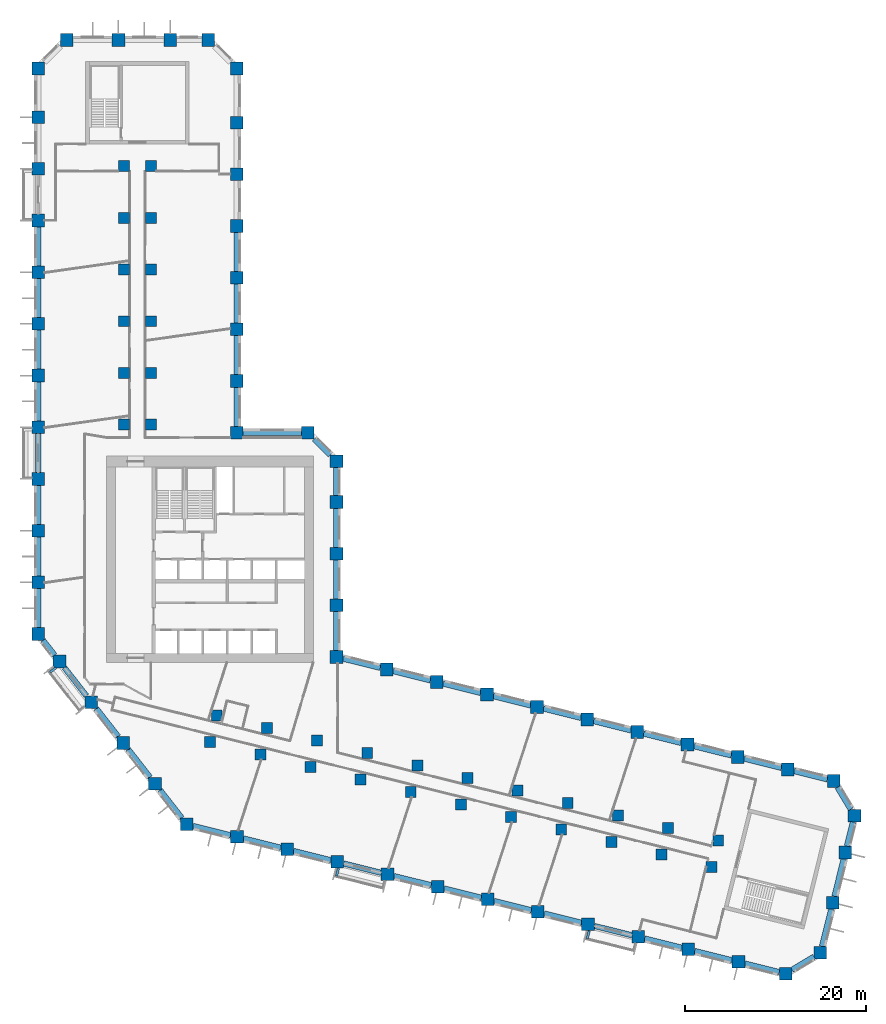
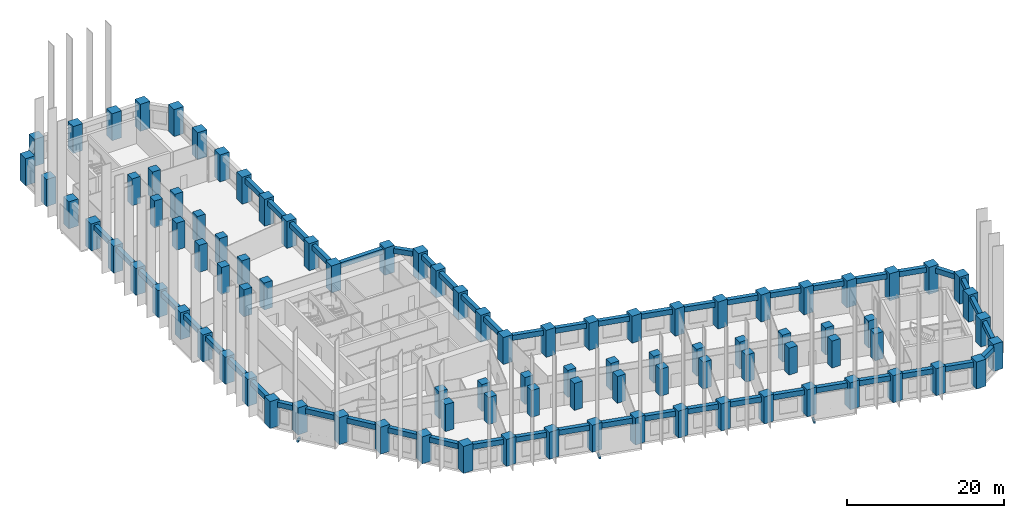
# One storey, part 1 of 12: 95 columns, 53 beams.
"""IFC4 building model written with IfcOpenShell, lengths in metres."""

from ifc_helpers import new_model, si_unit, direction, frame, origin, origin_2d, place, context, subcontext, project, spatial, rectangle, extrude, material, material_profile, profile_set, type_object, element, save


model = new_model("IFC4")

# Units and contexts
model_context = context("Model", 3, precision=1e-05, world=origin(), true_north=direction((0.0, 1.0)))
body_context = subcontext(model_context, "Body", "Model", "MODEL_VIEW")
ifc_project = project(units=[si_unit("LENGTHUNIT", "METRE"), si_unit("AREAUNIT", "SQUARE_METRE"), si_unit("VOLUMEUNIT", "CUBIC_METRE"), si_unit("PLANEANGLEUNIT", "RADIAN"), si_unit("MASSUNIT", "GRAM", prefix="KILO")], contexts=[model_context])

# Site, building, storey
site_placement = place(None, origin())
site = spatial("IfcSite", under=ifc_project, at=site_placement, CompositionType="ELEMENT")
building_placement = place(site_placement, origin())
building = spatial("IfcBuilding", under=site, at=building_placement, Name="Meshkara Civic Tower", CompositionType="ELEMENT")
storey_placement = place(building_placement, frame((0.0, 0.0, 66.60009765625)))
storey = spatial("IfcBuildingStorey", under=building, at=storey_placement, Name="L14", CompositionType="ELEMENT", Elevation=66.60009765625)

# Columns
ifc_material_1 = material(Name="Concrete C80", Category="concrete")
ifc_material_profile_1 = material_profile(ifc_material_1, rectangle(XDim=1.199951171875, YDim=1.199951171875, at=origin_2d()))
ifc_profile_set_1 = profile_set([ifc_material_profile_1], Name="Concrete C80")
column_type_1 = type_object("IfcColumnType", Name="Interior column RC 1200x1200 C80", PredefinedType="COLUMN", material=ifc_profile_set_1)
for number, where, z_axis, x_axis, name in (
    (1, (9.89990234375, 40.35009765625, 0.0), (0.0, 0.0, 1.0), (1.0, 0.0, 0.0), "Column SA1-04 L14"),
    (2, (9.89990234375, 46.050048828125, 0.0), (0.0, 0.0, 1.0), (1.0, 0.0, 0.0), "Column SA1-05 L14"),
    (3, (9.89990234375, 51.75, 0.0), (0.0, 0.0, 1.0), (1.0, 0.0, 0.0), "Column SA1-06 L14"),
    (4, (9.89990234375, 57.449951171875, 0.0), (0.0, 0.0, 1.0), (1.0, 0.0, 0.0), "Column SA1-07 L14"),
    (5, (9.89990234375, 63.14990234375, 0.0), (0.0, 0.0, 1.0), (1.0, 0.0, 0.0), "Column SA1-08 L14"),
    (6, (9.89990234375, 68.85009765625, 0.0), (0.0, 0.0, 1.0), (1.0, 0.0, 0.0), "Column SA1-09 L14"),
    (7, (12.89990234375, 40.35009765625, 0.0), (0.0, 0.0, 1.0), (1.0, 0.0, 0.0), "Column SA2-04 L14"),
    (8, (12.89990234375, 46.050048828125, 0.0), (0.0, 0.0, 1.0), (1.0, 0.0, 0.0), "Column SA2-05 L14"),
    (9, (12.89990234375, 51.75, 0.0), (0.0, 0.0, 1.0), (1.0, 0.0, 0.0), "Column SA2-06 L14"),
    (10, (12.89990234375, 57.449951171875, 0.0), (0.0, 0.0, 1.0), (1.0, 0.0, 0.0), "Column SA2-07 L14"),
    (11, (12.89990234375, 63.14990234375, 0.0), (0.0, 0.0, 1.0), (1.0, 0.0, 0.0), "Column SA2-08 L14"),
    (12, (12.89990234375, 68.85009765625, 0.0), (0.0, 0.0, 1.0), (1.0, 0.0, 0.0), "Column SA2-09 L14"),
    (13, (19.424072265625, 5.360107421875, 0.0), (0.0, 0.0, 1.0), (1.0, 0.0, 0.0), "Column SB1-00 L14"),
    (14, (24.9541015625, 3.98095703125, 0.0), (0.0, 0.0, 1.0), (1.0, 0.0, 0.0), "Column SB1-01 L14"),
    (15, (30.485107421875, 2.60205078125, 0.0), (0.0, 0.0, 1.0), (1.0, 0.0, 0.0), "Column SB1-02 L14"),
    (16, (36.01611328125, 1.222900390625, 0.0), (0.0, 0.0, 1.0), (1.0, 0.0, 0.0), "Column SB1-03 L14"),
    (17, (41.5458984375, -0.156005859375, 0.0), (0.0, 0.0, 1.0), (1.0, 0.0, 0.0), "Column SB1-04 L14"),
    (18, (47.076904296875, -1.534912109375, 0.0), (0.0, 0.0, 1.0), (1.0, 0.0, 0.0), "Column SB1-05 L14"),
    (19, (52.60791015625, -2.9140625, 0.0), (0.0, 0.0, 1.0), (1.0, 0.0, 0.0), "Column SB1-06 L14"),
    (20, (58.138916015625, -4.2919921875, 0.0), (0.0, 0.0, 1.0), (1.0, 0.0, 0.0), "Column SB1-07 L14"),
    (21, (63.6689453125, -5.6708984375, 0.0), (0.0, 0.0, 1.0), (1.0, 0.0, 0.0), "Column SB1-08 L14"),
    (22, (69.199951171875, -7.050048828125, 0.0), (0.0, 0.0, 1.0), (1.0, 0.0, 0.0), "Column SB1-09 L14"),
    (23, (74.73095703125, -8.428955078125, 0.0), (0.0, 0.0, 1.0), (1.0, 0.0, 0.0), "Column SB1-10 L14"),
    (24, (20.14892578125, 8.27099609375, 0.0), (0.0, 0.0, 1.0), (1.0, 0.0, 0.0), "Column SB2-00 L14"),
    (25, (25.679931640625, 6.89208984375, 0.0), (0.0, 0.0, 1.0), (1.0, 0.0, 0.0), "Column SB2-01 L14"),
    (26, (31.2109375, 5.512939453125, 0.0), (0.0, 0.0, 1.0), (1.0, 0.0, 0.0), "Column SB2-02 L14"),
    (27, (36.741943359375, 4.134033203125, 0.0), (0.0, 0.0, 1.0), (1.0, 0.0, 0.0), "Column SB2-03 L14"),
    (28, (42.27197265625, 2.7548828125, 0.0), (0.0, 0.0, 1.0), (1.0, 0.0, 0.0), "Column SB2-04 L14"),
    (29, (47.802978515625, 1.3759765625, 0.0), (0.0, 0.0, 1.0), (1.0, 0.0, 0.0), "Column SB2-05 L14"),
    (30, (53.333984375, -0.0029296875, 0.0), (0.0, 0.0, 1.0), (1.0, 0.0, 0.0), "Column SB2-06 L14"),
    (31, (58.864013671875, -1.382080078125, 0.0), (0.0, 0.0, 1.0), (1.0, 0.0, 0.0), "Column SB2-07 L14"),
    (32, (64.39501953125, -2.760986328125, 0.0), (0.0, 0.0, 1.0), (1.0, 0.0, 0.0), "Column SB2-08 L14"),
    (33, (69.926025390625, -4.139892578125, 0.0), (0.0, 0.0, 1.0), (1.0, 0.0, 0.0), "Column SB2-09 L14"),
    (34, (75.4560546875, -5.51806640625, 0.0), (0.0, 0.0, 1.0), (1.0, 0.0, 0.0), "Column SB2-10 L14"),
):
    element("IfcColumn", number, at=place(storey_placement, frame(where, z_axis=z_axis, x_axis=x_axis)), inside=storey, type_object=column_type_1, Name=name, PredefinedType="COLUMN", context=body_context, shape_type="SweptSolid", body=[
        extrude(rectangle(XDim=1.199951171875, YDim=1.199951171875, at=origin_2d()), origin(), (0.0, 0.0, 1.0), 4.199951171875),
    ])
ifc_material_2 = material(Name="Concrete C80", Category="concrete")
ifc_material_profile_2 = material_profile(ifc_material_2, rectangle(XDim=1.39990234375, YDim=1.39990234375, at=origin_2d()))
ifc_profile_set_2 = profile_set([ifc_material_profile_2], Name="Concrete C80")
column_type_2 = type_object("IfcColumnType", Name="Perimeter column RC 1400x1400 C80", PredefinedType="COLUMN", material=ifc_profile_set_2)
for number, where, z_axis, x_axis, name in (
    (35, (33.35009765625, 14.718994140625, 0.0), (0.0, 0.0, 1.0), (1.0, 0.0, 0.0), "Column HE00 L14"),
    (36, (33.35009765625, 20.4189453125, 0.0), (0.0, 0.0, 1.0), (1.0, 0.0, 0.0), "Column HE01 L14"),
    (37, (33.35009765625, 26.118896484375, 0.0), (0.0, 0.0, 1.0), (1.0, 0.0, 0.0), "Column HE02 L14"),
    (38, (33.35009765625, 31.819091796875, 0.0), (0.0, 0.0, 1.0), (1.0, 0.0, 0.0), "Column HE03 L14"),
    (39, (33.35009765625, 36.2939453125, 0.0), (0.0, 0.0, 1.0), (1.0, 0.0, 0.0), "Column HEE L14"),
    (40, (30.194091796875, 39.449951171875, 0.0), (0.0, 0.0, 1.0), (1.0, 0.0, 0.0), "Column HCeE L14"),
    (41, (22.35009765625, 39.449951171875, 0.0), (0.0, 0.0, 1.0), (1.0, 0.0, 0.0), "Column HN00 L14"),
    (42, (22.35009765625, 45.14990234375, 0.0), (0.0, 0.0, 1.0), (1.0, 0.0, 0.0), "Column AE01 L14"),
    (43, (22.35009765625, 50.85009765625, 0.0), (0.0, 0.0, 1.0), (1.0, 0.0, 0.0), "Column AE02 L14"),
    (44, (22.35009765625, 56.550048828125, 0.0), (0.0, 0.0, 1.0), (1.0, 0.0, 0.0), "Column AE03 L14"),
    (45, (22.35009765625, 62.25, 0.0), (0.0, 0.0, 1.0), (1.0, 0.0, 0.0), "Column AE04 L14"),
    (46, (22.35009765625, 67.949951171875, 0.0), (0.0, 0.0, 1.0), (1.0, 0.0, 0.0), "Column AE05 L14"),
    (47, (22.35009765625, 73.64990234375, 0.0), (0.0, 0.0, 1.0), (1.0, 0.0, 0.0), "Column AE06 L14"),
    (48, (22.35009765625, 79.614013671875, 0.0), (0.0, 0.0, 1.0), (1.0, 0.0, 0.0), "Column AEE L14"),
    (49, (19.194091796875, 82.77001953125, 0.0), (0.0, 0.0, 1.0), (1.0, 0.0, 0.0), "Column ATiE L14"),
    (50, (3.60595703125, 82.77001953125, 0.0), (0.0, 0.0, 1.0), (1.0, 0.0, 0.0), "Column AT00 L14"),
    (51, (9.305908203125, 82.77001953125, 0.0), (0.0, 0.0, 1.0), (1.0, 0.0, 0.0), "Column AT01 L14"),
    (52, (15.006103515625, 82.77001953125, 0.0), (0.0, 0.0, 1.0), (1.0, 0.0, 0.0), "Column AT02 L14"),
    (53, (0.449951171875, 79.614013671875, 0.0), (0.0, 0.0, 1.0), (1.0, 0.0, 0.0), "Column ATo00 L14"),
    (54, (0.449951171875, 17.2548828125, 0.0), (0.0, 0.0, 1.0), (1.0, 0.0, 0.0), "Column AW00 L14"),
    (55, (0.449951171875, 22.955078125, 0.0), (0.0, 0.0, 1.0), (1.0, 0.0, 0.0), "Column AW01 L14"),
    (56, (0.449951171875, 28.655029296875, 0.0), (0.0, 0.0, 1.0), (1.0, 0.0, 0.0), "Column AW02 L14"),
    (57, (0.449951171875, 34.35498046875, 0.0), (0.0, 0.0, 1.0), (1.0, 0.0, 0.0), "Column AW03 L14"),
    (58, (0.449951171875, 40.054931640625, 0.0), (0.0, 0.0, 1.0), (1.0, 0.0, 0.0), "Column AW04 L14"),
    (59, (0.449951171875, 45.7548828125, 0.0), (0.0, 0.0, 1.0), (1.0, 0.0, 0.0), "Column AW05 L14"),
    (60, (0.449951171875, 51.455078125, 0.0), (0.0, 0.0, 1.0), (1.0, 0.0, 0.0), "Column AW06 L14"),
    (61, (0.449951171875, 57.155029296875, 0.0), (0.0, 0.0, 1.0), (1.0, 0.0, 0.0), "Column AW07 L14"),
    (62, (0.449951171875, 62.85498046875, 0.0), (0.0, 0.0, 1.0), (1.0, 0.0, 0.0), "Column AW08 L14"),
    (63, (0.449951171875, 68.554931640625, 0.0), (0.0, 0.0, 1.0), (1.0, 0.0, 0.0), "Column AW09 L14"),
    (64, (0.449951171875, 74.2548828125, 0.0), (0.0, 0.0, 1.0), (1.0, 0.0, 0.0), "Column AW10 L14"),
    (65, (16.85107421875, -3.738037109375, 0.0), (0.0, 0.0, 1.0), (1.0, 0.0, 0.0), "Column BOW00 L14"),
    (66, (13.342041015625, 0.75390625, 0.0), (0.0, 0.0, 1.0), (1.0, 0.0, 0.0), "Column BOW01 L14"),
    (67, (9.8330078125, 5.2451171875, 0.0), (0.0, 0.0, 1.0), (1.0, 0.0, 0.0), "Column BOW02 L14"),
    (68, (6.322998046875, 9.737060546875, 0.0), (0.0, 0.0, 1.0), (1.0, 0.0, 0.0), "Column BOW03 L14"),
    (69, (2.81396484375, 14.22900390625, 0.0), (0.0, 0.0, 1.0), (1.0, 0.0, 0.0), "Column BOW04 L14"),
    (70, (22.382080078125, -5.116943359375, 0.0), (0.0, 0.0, 1.0), (1.0, 0.0, 0.0), "Column BS01 L14"),
    (71, (27.912109375, -6.49609375, 0.0), (0.0, 0.0, 1.0), (1.0, 0.0, 0.0), "Column BS02 L14"),
    (72, (33.443115234375, -7.875, 0.0), (0.0, 0.0, 1.0), (1.0, 0.0, 0.0), "Column BS03 L14"),
    (73, (38.97412109375, -9.25390625, 0.0), (0.0, 0.0, 1.0), (1.0, 0.0, 0.0), "Column BS04 L14"),
    (74, (44.5048828125, -10.632080078125, 0.0), (0.0, 0.0, 1.0), (1.0, 0.0, 0.0), "Column BS05 L14"),
    (75, (50.034912109375, -12.010986328125, 0.0), (0.0, 0.0, 1.0), (1.0, 0.0, 0.0), "Column BS06 L14"),
    (76, (55.56591796875, -13.389892578125, 0.0), (0.0, 0.0, 1.0), (1.0, 0.0, 0.0), "Column BS07 L14"),
    (77, (61.096923828125, -14.76904296875, 0.0), (0.0, 0.0, 1.0), (1.0, 0.0, 0.0), "Column BS08 L14"),
    (78, (66.626953125, -16.14794921875, 0.0), (0.0, 0.0, 1.0), (1.0, 0.0, 0.0), "Column BS09 L14"),
    (79, (72.157958984375, -17.527099609375, 0.0), (0.0, 0.0, 1.0), (1.0, 0.0, 0.0), "Column BS10 L14"),
    (80, (77.68896484375, -18.906005859375, 0.0), (0.0, 0.0, 1.0), (1.0, 0.0, 0.0), "Column BS11 L14"),
    (81, (82.887939453125, -20.201904296875, 0.0), (0.0, 0.0, 1.0), (1.0, 0.0, 0.0), "Column BSE L14"),
    (82, (86.714111328125, -17.903076171875, 0.0), (0.0, 0.0, 1.0), (1.0, 0.0, 0.0), "Column BToE L14"),
    (83, (88.093017578125, -12.3720703125, 0.0), (0.0, 0.0, 1.0), (1.0, 0.0, 0.0), "Column BT01 L14"),
    (84, (89.471923828125, -6.842041015625, 0.0), (0.0, 0.0, 1.0), (1.0, 0.0, 0.0), "Column BT02 L14"),
    (85, (90.485107421875, -2.779052734375, 0.0), (0.0, 0.0, 1.0), (1.0, 0.0, 0.0), "Column BTE L14"),
    (86, (88.18603515625, 1.0458984375, 0.0), (0.0, 0.0, 1.0), (1.0, 0.0, 0.0), "Column BTi00 L14"),
    (87, (38.881103515625, 13.340087890625, 0.0), (0.0, 0.0, 1.0), (1.0, 0.0, 0.0), "Column BN01 L14"),
    (88, (44.410888671875, 11.9609375, 0.0), (0.0, 0.0, 1.0), (1.0, 0.0, 0.0), "Column BN02 L14"),
    (89, (49.94189453125, 10.58203125, 0.0), (0.0, 0.0, 1.0), (1.0, 0.0, 0.0), "Column BN03 L14"),
    (90, (55.472900390625, 9.202880859375, 0.0), (0.0, 0.0, 1.0), (1.0, 0.0, 0.0), "Column BN04 L14"),
    (91, (61.0029296875, 7.823974609375, 0.0), (0.0, 0.0, 1.0), (1.0, 0.0, 0.0), "Column BN05 L14"),
    (92, (66.533935546875, 6.445068359375, 0.0), (0.0, 0.0, 1.0), (1.0, 0.0, 0.0), "Column BN06 L14"),
    (93, (72.06494140625, 5.06591796875, 0.0), (0.0, 0.0, 1.0), (1.0, 0.0, 0.0), "Column BN07 L14"),
    (94, (77.594970703125, 3.68701171875, 0.0), (0.0, 0.0, 1.0), (1.0, 0.0, 0.0), "Column BN08 L14"),
    (95, (83.1259765625, 2.30810546875, 0.0), (0.0, 0.0, 1.0), (1.0, 0.0, 0.0), "Column BN09 L14"),
):
    element("IfcColumn", number, at=place(storey_placement, frame(where, z_axis=z_axis, x_axis=x_axis)), inside=storey, type_object=column_type_2, Name=name, PredefinedType="COLUMN", context=body_context, shape_type="SweptSolid", body=[
        extrude(rectangle(XDim=1.39990234375, YDim=1.39990234375, at=origin_2d()), origin(), (0.0, 0.0, 1.0), 4.199951171875),
    ])

# Beams
ifc_material_3 = material(Name="Concrete C50", Category="concrete")
ifc_material_profile_3 = material_profile(ifc_material_3, rectangle(XDim=0.25, YDim=0.39990234375, at=origin_2d()))
ifc_profile_set_3 = profile_set([ifc_material_profile_3], Name="Concrete C50")
beam_type_1 = type_object("IfcBeamType", Name="Balcony bracket beam RC 250x400 C50", PredefinedType="BEAM", material=ifc_profile_set_3)
beam_1_placement = place(storey_placement, frame((2.408935546875, 13.531982421875, -0.5), z_axis=(-0.787858193001, -0.615856694143, 0.0), x_axis=(0.615856694143, -0.787858193001, 0.0)))
element("IfcBeam", 96, at=beam_1_placement, inside=storey, type_object=beam_type_1, Name="Balcony bracket beam", PredefinedType="BEAM", context=body_context, shape_type="SweptSolid", body=[
    extrude(rectangle(XDim=0.25, YDim=0.39990234375, at=origin_2d()), origin(), (0.0, 0.0, 1.0), 0.802001953125),
])
beam_2_placement = place(storey_placement, frame((33.5791015625, -8.570068359375, -0.5), z_axis=(-0.242535625036, -0.970142500145, 0.0), x_axis=(0.970142500145, -0.242535625036, 0.0)))
element("IfcBeam", 97, at=beam_2_placement, inside=storey, type_object=beam_type_1, Name="Balcony bracket beam", PredefinedType="BEAM", context=body_context, shape_type="SweptSolid", body=[
    extrude(rectangle(XDim=0.25, YDim=0.39990234375, at=origin_2d()), origin(), (0.0, 0.0, 1.0), 0.907958984375),
])
beam_3_placement = place(storey_placement, frame((61.23291015625, -15.464111328125, -0.5), z_axis=(-0.242029947494, -0.970268779522, 0.0), x_axis=(0.970268779522, -0.242029947494, 0.0)))
element("IfcBeam", 98, at=beam_3_placement, inside=storey, type_object=beam_type_1, Name="Balcony bracket beam", PredefinedType="BEAM", context=body_context, shape_type="SweptSolid", body=[
    extrude(rectangle(XDim=0.25, YDim=0.39990234375, at=origin_2d()), origin(), (0.0, 0.0, 1.0), 0.908935546875),
])
ifc_material_4 = material(Name="Concrete C70", Category="concrete")
ifc_material_profile_4 = material_profile(ifc_material_4, rectangle(XDim=0.60009765625, YDim=0.800048828125, at=origin_2d()))
ifc_profile_set_4 = profile_set([ifc_material_profile_4], Name="Concrete C70")
beam_type_2 = type_object("IfcBeamType", Name="Spandrel beam RC 600x800 C70", PredefinedType="BEAM", material=ifc_profile_set_4)
beam_4_placement = place(storey_placement, frame((82.430908203125, 2.481201171875, 3.5), z_axis=(-0.97029374225, 0.241929852955, 0.0), x_axis=(-0.241929852955, -0.97029374225, 0.0)))
element("IfcBeam", 99, at=beam_4_placement, inside=storey, type_object=beam_type_2, Name="Spandrel beam BN08-BN09", PredefinedType="BEAM", context=body_context, shape_type="SweptSolid", body=[
    extrude(rectangle(XDim=0.60009765625, YDim=0.800048828125, at=origin_2d()), origin(), (0.0, 0.0, 1.0), 4.267578125),
])
beam_5_placement = place(storey_placement, frame((76.89990234375, 3.8603515625, 3.5), z_axis=(-0.970293777887, 0.241929710026, 0.0), x_axis=(-0.241929710026, -0.970293777887, 0.0)))
element("IfcBeam", 100, at=beam_5_placement, inside=storey, type_object=beam_type_2, Name="Spandrel beam BN07-BN08", PredefinedType="BEAM", context=body_context, shape_type="SweptSolid", body=[
    extrude(rectangle(XDim=0.60009765625, YDim=0.800048828125, at=origin_2d()), origin(), (0.0, 0.0, 1.0), 4.2666015625),
])
for number, where, z_axis, x_axis, name in (
    (101, (71.369873046875, 5.2392578125, 3.5), (-0.97029374225, 0.241929852955, 0.0), (-0.241929852955, -0.97029374225, 0.0), "Spandrel beam BN06-BN07"),
    (102, (65.8388671875, 6.618408203125, 3.5), (-0.970307169965, 0.241875992843, 0.0), (-0.241875992843, -0.970307169965, 0.0), "Spandrel beam BN05-BN06"),
):
    element("IfcBeam", number, at=place(storey_placement, frame(where, z_axis=z_axis, x_axis=x_axis)), inside=storey, type_object=beam_type_2, Name=name, PredefinedType="BEAM", context=body_context, shape_type="SweptSolid", body=[
        extrude(rectangle(XDim=0.60009765625, YDim=0.800048828125, at=origin_2d()), origin(), (0.0, 0.0, 1.0), 4.267578125),
    ])
beam_6_placement = place(storey_placement, frame((60.307861328125, 7.997314453125, 3.5), z_axis=(-0.970276993533, 0.241997016139, 0.0), x_axis=(-0.241997016139, -0.970276993533, 0.0)))
element("IfcBeam", 103, at=beam_6_placement, inside=storey, type_object=beam_type_2, Name="Spandrel beam BN04-BN05", PredefinedType="BEAM", context=body_context, shape_type="SweptSolid", body=[
    extrude(rectangle(XDim=0.60009765625, YDim=0.800048828125, at=origin_2d()), origin(), (0.0, 0.0, 1.0), 4.266357421875),
])
for number, where, z_axis, x_axis, name in (
    (104, (54.77783203125, 9.376220703125, 3.5), (-0.970290393622, 0.241943282702, 0.0), (-0.241943282702, -0.970290393622, 0.0), "Spandrel beam BN03-BN04"),
    (105, (49.246826171875, 10.75537109375, 3.5), (-0.970303822782, 0.241889419972, 0.0), (-0.241889419972, -0.970303822782, 0.0), "Spandrel beam BN02-BN03"),
):
    element("IfcBeam", number, at=place(storey_placement, frame(where, z_axis=z_axis, x_axis=x_axis)), inside=storey, type_object=beam_type_2, Name=name, PredefinedType="BEAM", context=body_context, shape_type="SweptSolid", body=[
        extrude(rectangle(XDim=0.60009765625, YDim=0.800048828125, at=origin_2d()), origin(), (0.0, 0.0, 1.0), 4.267333984375),
    ])
beam_7_placement = place(storey_placement, frame((43.7158203125, 12.13427734375, 3.5), z_axis=(-0.970276993533, 0.241997016139, 0.0), x_axis=(-0.241997016139, -0.970276993533, 0.0)))
element("IfcBeam", 106, at=beam_7_placement, inside=storey, type_object=beam_type_2, Name="Spandrel beam BN01-BN02", PredefinedType="BEAM", context=body_context, shape_type="SweptSolid", body=[
    extrude(rectangle(XDim=0.60009765625, YDim=0.800048828125, at=origin_2d()), origin(), (0.0, 0.0, 1.0), 4.266357421875),
])
beam_8_placement = place(storey_placement, frame((38.185791015625, 13.51318359375, 3.5), z_axis=(-0.970290393622, 0.241943282702, 0.0), x_axis=(-0.241943282702, -0.970290393622, 0.0)))
element("IfcBeam", 107, at=beam_8_placement, inside=storey, type_object=beam_type_2, Name="Spandrel beam BN01-HE00", PredefinedType="BEAM", context=body_context, shape_type="SweptSolid", body=[
    extrude(rectangle(XDim=0.60009765625, YDim=0.800048828125, at=origin_2d()), origin(), (0.0, 0.0, 1.0), 4.267333984375),
])
for number, where, z_axis, x_axis, name in (
    (108, (33.35009765625, 15.4140625, 3.5), (0.0, 1.0, 0.0), (-1.0, 0.0, 0.0), "Spandrel beam HE00-HE01"),
    (109, (33.35009765625, 21.114013671875, 3.5), (0.0, 1.0, 0.0), (-1.0, 0.0, 0.0), "Spandrel beam HE01-HE02"),
    (110, (33.35009765625, 26.81396484375, 3.5), (0.0, 1.0, 0.0), (-1.0, 0.0, 0.0), "Spandrel beam HE02-HE03"),
):
    element("IfcBeam", number, at=place(storey_placement, frame(where, z_axis=z_axis, x_axis=x_axis)), inside=storey, type_object=beam_type_2, Name=name, PredefinedType="BEAM", context=body_context, shape_type="SweptSolid", body=[
        extrude(rectangle(XDim=0.60009765625, YDim=0.800048828125, at=origin_2d()), origin(), (0.0, 0.0, 1.0), 4.31005859375),
    ])
beam_9_placement = place(storey_placement, frame((33.35009765625, 32.513916015625, 3.5), z_axis=(0.0, 1.0, 0.0), x_axis=(-1.0, 0.0, 0.0)))
element("IfcBeam", 111, at=beam_9_placement, inside=storey, type_object=beam_type_2, Name="Spandrel beam HE03-HEE", PredefinedType="BEAM", context=body_context, shape_type="SweptSolid", body=[
    extrude(rectangle(XDim=0.60009765625, YDim=0.800048828125, at=origin_2d()), origin(), (0.0, 0.0, 1.0), 3.085205078125),
])
beam_10_placement = place(storey_placement, frame((32.653564453125, 36.990478515625, 3.5), z_axis=(-0.707155737934, 0.70705782105, 0.0), x_axis=(-0.70705782105, -0.707155737934, 0.0)))
element("IfcBeam", 112, at=beam_10_placement, inside=storey, type_object=beam_type_2, Name="Spandrel beam HCeE-HEE", PredefinedType="BEAM", context=body_context, shape_type="SweptSolid", body=[
    extrude(rectangle(XDim=0.60009765625, YDim=0.800048828125, at=origin_2d()), origin(), (0.0, 0.0, 1.0), 2.493408203125),
])
beam_11_placement = place(storey_placement, frame((29.4990234375, 39.449951171875, 3.5), z_axis=(-1.0, 0.0, 0.0), x_axis=(0.0, -1.0, 0.0)))
element("IfcBeam", 113, at=beam_11_placement, inside=storey, type_object=beam_type_2, Name="Spandrel beam HCeE-HN00", PredefinedType="BEAM", context=body_context, shape_type="SweptSolid", body=[
    extrude(rectangle(XDim=0.60009765625, YDim=0.800048828125, at=origin_2d()), origin(), (0.0, 0.0, 1.0), 6.4541015625),
])
for number, where, z_axis, x_axis, name in (
    (114, (22.35009765625, 40.14501953125, 3.5), (0.0, 1.0, 0.0), (-1.0, 0.0, 0.0), "Spandrel beam AE01-HN00"),
    (115, (22.35009765625, 45.844970703125, 3.5), (0.0, 1.0, 0.0), (-1.0, 0.0, 0.0), "Spandrel beam AE01-AE02"),
    (116, (22.35009765625, 51.544921875, 3.5), (0.0, 1.0, 0.0), (-1.0, 0.0, 0.0), "Spandrel beam AE02-AE03"),
):
    element("IfcBeam", number, at=place(storey_placement, frame(where, z_axis=z_axis, x_axis=x_axis)), inside=storey, type_object=beam_type_2, Name=name, PredefinedType="BEAM", context=body_context, shape_type="SweptSolid", body=[
        extrude(rectangle(XDim=0.60009765625, YDim=0.800048828125, at=origin_2d()), origin(), (0.0, 0.0, 1.0), 4.31005859375),
    ])
for number, where, z_axis, x_axis, name in (
    (117, (22.35009765625, 57.2451171875, 3.5), (0.0, 1.0, 0.0), (-1.0, 0.0, 0.0), "Spandrel beam AE03-AE04"),
    (118, (0.449951171875, 62.159912109375, 3.5), (0.0, -1.0, 0.0), (1.0, 0.0, 0.0), "Spandrel beam AW07-AW08"),
):
    element("IfcBeam", number, at=place(storey_placement, frame(where, z_axis=z_axis, x_axis=x_axis)), inside=storey, type_object=beam_type_2, Name=name, PredefinedType="BEAM", context=body_context, shape_type="SweptSolid", body=[
        extrude(rectangle(XDim=0.60009765625, YDim=0.800048828125, at=origin_2d()), origin(), (0.0, 0.0, 1.0), 4.309814453125),
    ])
for number, where, z_axis, x_axis, name in (
    (119, (0.449951171875, 56.4599609375, 3.5), (0.0, -1.0, 0.0), (1.0, 0.0, 0.0), "Spandrel beam AW06-AW07"),
    (120, (0.449951171875, 50.760009765625, 3.5), (0.0, -1.0, 0.0), (1.0, 0.0, 0.0), "Spandrel beam AW05-AW06"),
    (121, (0.449951171875, 45.06005859375, 3.5), (0.0, -1.0, 0.0), (1.0, 0.0, 0.0), "Spandrel beam AW04-AW05"),
    (122, (0.449951171875, 39.360107421875, 3.5), (0.0, -1.0, 0.0), (1.0, 0.0, 0.0), "Spandrel beam AW03-AW04"),
):
    element("IfcBeam", number, at=place(storey_placement, frame(where, z_axis=z_axis, x_axis=x_axis)), inside=storey, type_object=beam_type_2, Name=name, PredefinedType="BEAM", context=body_context, shape_type="SweptSolid", body=[
        extrude(rectangle(XDim=0.60009765625, YDim=0.800048828125, at=origin_2d()), origin(), (0.0, 0.0, 1.0), 4.31005859375),
    ])
beam_12_placement = place(storey_placement, frame((0.449951171875, 33.659912109375, 3.5), z_axis=(0.0, -1.0, 0.0), x_axis=(1.0, 0.0, 0.0)))
element("IfcBeam", 123, at=beam_12_placement, inside=storey, type_object=beam_type_2, Name="Spandrel beam AW02-AW03", PredefinedType="BEAM", context=body_context, shape_type="SweptSolid", body=[
    extrude(rectangle(XDim=0.60009765625, YDim=0.800048828125, at=origin_2d()), origin(), (0.0, 0.0, 1.0), 4.309814453125),
])
for number, where, z_axis, x_axis, name in (
    (124, (0.449951171875, 27.9599609375, 3.5), (0.0, -1.0, 0.0), (1.0, 0.0, 0.0), "Spandrel beam AW01-AW02"),
    (125, (0.449951171875, 22.260009765625, 3.5), (0.0, -1.0, 0.0), (1.0, 0.0, 0.0), "Spandrel beam AW00-AW01"),
):
    element("IfcBeam", number, at=place(storey_placement, frame(where, z_axis=z_axis, x_axis=x_axis)), inside=storey, type_object=beam_type_2, Name=name, PredefinedType="BEAM", context=body_context, shape_type="SweptSolid", body=[
        extrude(rectangle(XDim=0.60009765625, YDim=0.800048828125, at=origin_2d()), origin(), (0.0, 0.0, 1.0), 4.31005859375),
    ])
beam_13_placement = place(storey_placement, frame((0.993896484375, 16.558837890625, 3.5), z_axis=(0.615634901283, -0.788031514803, 0.0), x_axis=(0.788031514803, 0.615634901283, 0.0)))
element("IfcBeam", 126, at=beam_13_placement, inside=storey, type_object=beam_type_2, Name="Spandrel beam AW00-BOW04", PredefinedType="BEAM", context=body_context, shape_type="SweptSolid", body=[
    extrude(rectangle(XDim=0.60009765625, YDim=0.800048828125, at=origin_2d()), origin(), (0.0, 0.0, 1.0), 2.0732421875),
])
beam_14_placement = place(storey_placement, frame((3.357666015625, 13.532958984375, 3.5), z_axis=(0.615623566685, -0.788040369614, 0.0), x_axis=(0.788040369614, 0.615623566685, 0.0)))
element("IfcBeam", 127, at=beam_14_placement, inside=storey, type_object=beam_type_2, Name="Spandrel beam BOW03-BOW04", PredefinedType="BEAM", context=body_context, shape_type="SweptSolid", body=[
    extrude(rectangle(XDim=0.60009765625, YDim=0.800048828125, at=origin_2d()), origin(), (0.0, 0.0, 1.0), 3.93359375),
])
beam_15_placement = place(storey_placement, frame((6.866943359375, 9.041015625, 3.5), z_axis=(0.61570064363, -0.787980150406, 0.0), x_axis=(0.787980150406, 0.61570064363, 0.0)))
element("IfcBeam", 128, at=beam_15_placement, inside=storey, type_object=beam_type_2, Name="Spandrel beam BOW02-BOW03", PredefinedType="BEAM", context=body_context, shape_type="SweptSolid", body=[
    extrude(rectangle(XDim=0.60009765625, YDim=0.800048828125, at=origin_2d()), origin(), (0.0, 0.0, 1.0), 3.933837890625),
])
beam_16_placement = place(storey_placement, frame((10.376953125, 4.548828125, 3.5), z_axis=(0.615697051917, -0.787982956834, 0.0), x_axis=(0.787982956834, 0.615697051917, 0.0)))
element("IfcBeam", 129, at=beam_16_placement, inside=storey, type_object=beam_type_2, Name="Spandrel beam BOW01-BOW02", PredefinedType="BEAM", context=body_context, shape_type="SweptSolid", body=[
    extrude(rectangle(XDim=0.60009765625, YDim=0.800048828125, at=origin_2d()), origin(), (0.0, 0.0, 1.0), 3.932373046875),
])
beam_17_placement = place(storey_placement, frame((13.8857421875, 0.057861328125, 3.5), z_axis=(0.615623566685, -0.788040369614, 0.0), x_axis=(0.788040369614, 0.615623566685, 0.0)))
element("IfcBeam", 130, at=beam_17_placement, inside=storey, type_object=beam_type_2, Name="Spandrel beam BOW00-BOW01", PredefinedType="BEAM", context=body_context, shape_type="SweptSolid", body=[
    extrude(rectangle(XDim=0.60009765625, YDim=0.800048828125, at=origin_2d()), origin(), (0.0, 0.0, 1.0), 3.93359375),
])
beam_18_placement = place(storey_placement, frame((17.546142578125, -3.911376953125, 3.5), z_axis=(0.970307169965, -0.241875992843, 0.0), x_axis=(0.241875992843, 0.970307169965, 0.0)))
element("IfcBeam", 131, at=beam_18_placement, inside=storey, type_object=beam_type_2, Name="Spandrel beam BOW00-BS01", PredefinedType="BEAM", context=body_context, shape_type="SweptSolid", body=[
    extrude(rectangle(XDim=0.60009765625, YDim=0.800048828125, at=origin_2d()), origin(), (0.0, 0.0, 1.0), 4.267578125),
])
beam_19_placement = place(storey_placement, frame((23.0771484375, -5.290283203125, 3.5), z_axis=(0.970276993533, -0.241997016139, 0.0), x_axis=(0.241997016139, 0.970276993533, 0.0)))
element("IfcBeam", 132, at=beam_19_placement, inside=storey, type_object=beam_type_2, Name="Spandrel beam BS01-BS02", PredefinedType="BEAM", context=body_context, shape_type="SweptSolid", body=[
    extrude(rectangle(XDim=0.60009765625, YDim=0.800048828125, at=origin_2d()), origin(), (0.0, 0.0, 1.0), 4.266357421875),
])
for number, where, z_axis, x_axis, name in (
    (133, (28.607177734375, -6.669189453125, 3.5), (0.970290393622, -0.241943282702, 0.0), (0.241943282702, 0.970290393622, 0.0), "Spandrel beam BS02-BS03"),
    (134, (34.13818359375, -8.04833984375, 3.5), (0.970290393622, -0.241943282702, 0.0), (0.241943282702, 0.970290393622, 0.0), "Spandrel beam BS03-BS04"),
):
    element("IfcBeam", number, at=place(storey_placement, frame(where, z_axis=z_axis, x_axis=x_axis)), inside=storey, type_object=beam_type_2, Name=name, PredefinedType="BEAM", context=body_context, shape_type="SweptSolid", body=[
        extrude(rectangle(XDim=0.60009765625, YDim=0.800048828125, at=origin_2d()), origin(), (0.0, 0.0, 1.0), 4.267333984375),
    ])
beam_20_placement = place(storey_placement, frame((39.669189453125, -9.42724609375, 3.5), z_axis=(0.97034409455, -0.241727818365, 0.0), x_axis=(0.241727818365, 0.97034409455, 0.0)))
element("IfcBeam", 135, at=beam_20_placement, inside=storey, type_object=beam_type_2, Name="Spandrel beam BS04-BS05", PredefinedType="BEAM", context=body_context, shape_type="SweptSolid", body=[
    extrude(rectangle(XDim=0.60009765625, YDim=0.800048828125, at=origin_2d()), origin(), (0.0, 0.0, 1.0), 4.26708984375),
])
beam_21_placement = place(storey_placement, frame((45.2001953125, -10.805419921875, 3.5), z_axis=(0.970290428474, -0.241943142934, 0.0), x_axis=(0.241943142934, 0.970290428474, 0.0)))
element("IfcBeam", 136, at=beam_21_placement, inside=storey, type_object=beam_type_2, Name="Spandrel beam BS05-BS06", PredefinedType="BEAM", context=body_context, shape_type="SweptSolid", body=[
    extrude(rectangle(XDim=0.60009765625, YDim=0.800048828125, at=origin_2d()), origin(), (0.0, 0.0, 1.0), 4.266357421875),
])
for number, where, z_axis, x_axis, name in (
    (137, (50.72998046875, -12.184326171875, 3.5), (0.97029374225, -0.241929852955, 0.0), (0.241929852955, 0.97029374225, 0.0), "Spandrel beam BS06-BS07"),
    (138, (56.260986328125, -13.563232421875, 3.5), (0.97029374225, -0.241929852955, 0.0), (0.241929852955, 0.97029374225, 0.0), "Spandrel beam BS07-BS08"),
):
    element("IfcBeam", number, at=place(storey_placement, frame(where, z_axis=z_axis, x_axis=x_axis)), inside=storey, type_object=beam_type_2, Name=name, PredefinedType="BEAM", context=body_context, shape_type="SweptSolid", body=[
        extrude(rectangle(XDim=0.60009765625, YDim=0.800048828125, at=origin_2d()), origin(), (0.0, 0.0, 1.0), 4.267578125),
    ])
beam_22_placement = place(storey_placement, frame((61.7919921875, -14.9423828125, 3.5), z_axis=(0.970293777887, -0.241929710026, 0.0), x_axis=(0.241929710026, 0.970293777887, 0.0)))
element("IfcBeam", 139, at=beam_22_placement, inside=storey, type_object=beam_type_2, Name="Spandrel beam BS08-BS09", PredefinedType="BEAM", context=body_context, shape_type="SweptSolid", body=[
    extrude(rectangle(XDim=0.60009765625, YDim=0.800048828125, at=origin_2d()), origin(), (0.0, 0.0, 1.0), 4.2666015625),
])
for number, where, z_axis, x_axis, name in (
    (140, (67.322021484375, -16.3212890625, 3.5), (0.97029374225, -0.241929852955, 0.0), (0.241929852955, 0.97029374225, 0.0), "Spandrel beam BS09-BS10"),
    (141, (72.85302734375, -17.7001953125, 3.5), (0.97029374225, -0.241929852955, 0.0), (0.241929852955, 0.97029374225, 0.0), "Spandrel beam BS10-BS11"),
):
    element("IfcBeam", number, at=place(storey_placement, frame(where, z_axis=z_axis, x_axis=x_axis)), inside=storey, type_object=beam_type_2, Name=name, PredefinedType="BEAM", context=body_context, shape_type="SweptSolid", body=[
        extrude(rectangle(XDim=0.60009765625, YDim=0.800048828125, at=origin_2d()), origin(), (0.0, 0.0, 1.0), 4.267578125),
    ])
beam_23_placement = place(storey_placement, frame((78.384033203125, -19.079345703125, 3.5), z_axis=(0.970306910921, -0.241877032022, 0.0), x_axis=(0.241877032022, 0.970306910921, 0.0)))
element("IfcBeam", 142, at=beam_23_placement, inside=storey, type_object=beam_type_2, Name="Spandrel beam BS11-BSE", PredefinedType="BEAM", context=body_context, shape_type="SweptSolid", body=[
    extrude(rectangle(XDim=0.60009765625, YDim=0.800048828125, at=origin_2d()), origin(), (0.0, 0.0, 1.0), 3.92529296875),
])
beam_24_placement = place(storey_placement, frame((83.583740234375, -19.783935546875, 3.5), z_axis=(0.857159031547, 0.515051836846, 0.0), x_axis=(-0.515051836846, 0.857159031547, 0.0)))
element("IfcBeam", 143, at=beam_24_placement, inside=storey, type_object=beam_type_2, Name="Spandrel beam BSE-BToE", PredefinedType="BEAM", context=body_context, shape_type="SweptSolid", body=[
    extrude(rectangle(XDim=0.60009765625, YDim=0.800048828125, at=origin_2d()), origin(), (0.0, 0.0, 1.0), 2.84033203125),
])
beam_25_placement = place(storey_placement, frame((86.88720703125, -17.2080078125, 3.5), z_axis=(0.241929852955, 0.97029374225, 0.0), x_axis=(-0.97029374225, 0.241929852955, 0.0)))
element("IfcBeam", 144, at=beam_25_placement, inside=storey, type_object=beam_type_2, Name="Spandrel beam BT01-BToE", PredefinedType="BEAM", context=body_context, shape_type="SweptSolid", body=[
    extrude(rectangle(XDim=0.60009765625, YDim=0.800048828125, at=origin_2d()), origin(), (0.0, 0.0, 1.0), 4.267578125),
])
beam_26_placement = place(storey_placement, frame((88.266357421875, -11.677001953125, 3.5), z_axis=(0.241929710026, 0.970293777887, 0.0), x_axis=(-0.970293777887, 0.241929710026, 0.0)))
element("IfcBeam", 145, at=beam_26_placement, inside=storey, type_object=beam_type_2, Name="Spandrel beam BT01-BT02", PredefinedType="BEAM", context=body_context, shape_type="SweptSolid", body=[
    extrude(rectangle(XDim=0.60009765625, YDim=0.800048828125, at=origin_2d()), origin(), (0.0, 0.0, 1.0), 4.2666015625),
])
beam_27_placement = place(storey_placement, frame((89.645263671875, -6.14697265625, 3.5), z_axis=(0.241951685637, 0.9702882983, 0.0), x_axis=(-0.9702882983, 0.241951685637, 0.0)))
element("IfcBeam", 146, at=beam_27_placement, inside=storey, type_object=beam_type_2, Name="Spandrel beam BT02-BTE", PredefinedType="BEAM", context=body_context, shape_type="SweptSolid", body=[
    extrude(rectangle(XDim=0.60009765625, YDim=0.800048828125, at=origin_2d()), origin(), (0.0, 0.0, 1.0), 2.754638671875),
])
beam_28_placement = place(storey_placement, frame((90.06689453125, -2.083251953125, 3.5), z_axis=(-0.515140502895, 0.85710574743, 0.0), x_axis=(-0.85710574743, -0.515140502895, 0.0)))
element("IfcBeam", 147, at=beam_28_placement, inside=storey, type_object=beam_type_2, Name="Spandrel beam BTE-BTi00", PredefinedType="BEAM", context=body_context, shape_type="SweptSolid", body=[
    extrude(rectangle(XDim=0.60009765625, YDim=0.800048828125, at=origin_2d()), origin(), (0.0, 0.0, 1.0), 2.83935546875),
])
beam_29_placement = place(storey_placement, frame((87.490966796875, 1.219482421875, 3.5), z_axis=(-0.97029418893, 0.241928061476, 0.0), x_axis=(-0.241928061476, -0.97029418893, 0.0)))
element("IfcBeam", 148, at=beam_29_placement, inside=storey, type_object=beam_type_2, Name="Spandrel beam BN09-BTi00", PredefinedType="BEAM", context=body_context, shape_type="SweptSolid", body=[
    extrude(rectangle(XDim=0.60009765625, YDim=0.800048828125, at=origin_2d()), origin(), (0.0, 0.0, 1.0), 3.7822265625),
])

save(model, "model.ifc")
